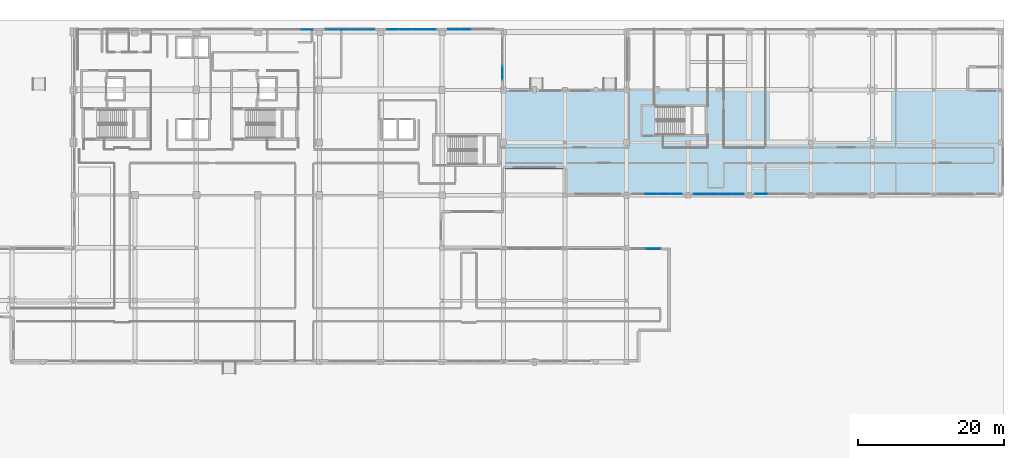
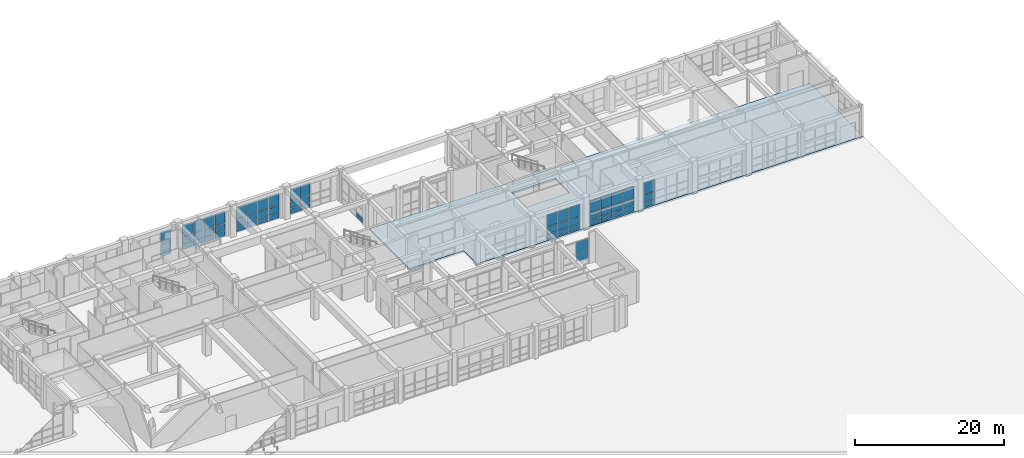
# One storey, part 120 of 148: 60 plates, 1 slab, 9 elements without a shape of their own.
"""IFC4 building model written with IfcOpenShell, lengths in metres."""

import ifcopenshell
import ifcopenshell.guid

model = None  # the IFC model being written
_history = None  # IfcOwnerHistory: only IFC2X3 demands one
_inside = {}  # id of a spatial element -> (the spatial element, [elements in it])
_under = {}  # id of a project, library or spatial element -> (it, [spatial elements below it])
_declared = {}  # id of a project -> (the project, [libraries it declares])
_typed = {}  # id of a type object -> (the type object, [elements of that type])
_made_of = {}  # id of a material, layer set ... -> (it, [elements and type objects made of it])


def new_model(schema):
    """Start an empty IFC model of exactly this schema.

    Asked for "IFC4X3", IfcOpenShell would pick the latest addendum, in which some entities
    have other attributes; the version numbers below select the first issue.
    IFC2X3 requires an IfcOwnerHistory on every rooted entity: one is made here for all.
    """
    global model, _history
    if schema == "IFC4X3":
        model = ifcopenshell.file(schema_version=(4, 3, 0, 0))
    else:
        model = ifcopenshell.file(schema=schema)
    _inside.clear()
    _under.clear()
    _declared.clear()
    _typed.clear()
    _made_of.clear()
    _history = None
    if model.schema == "IFC2X3":
        org = make("IfcOrganization", Name="unknown")
        user = make(
            "IfcPersonAndOrganization",
            ThePerson=make("IfcPerson", FamilyName="unknown"),
            TheOrganization=org,
        )
        app = make(
            "IfcApplication",
            ApplicationDeveloper=org,
            Version="unknown",
            ApplicationFullName="unknown",
            ApplicationIdentifier="unknown",
        )
        _history = make(
            "IfcOwnerHistory",
            OwningUser=user,
            OwningApplication=app,
            ChangeAction="ADDED",
            CreationDate=0,
        )
    return model


def make(cls, **values):
    """One entity of the class cls with the attributes given. An attribute that is None is left unset."""
    return model.create_entity(
        cls, **{name: value for name, value in values.items() if value is not None}
    )


def rooted(cls, **values):
    """An entity with a GlobalId (a new one), such as an element, a storey or a relation."""
    return make(cls, GlobalId=ifcopenshell.guid.new(), OwnerHistory=_history, **values)


def si_unit(unit_type, name, prefix=None):
    """IfcSIUnit, for example si_unit("LENGTHUNIT", "METRE", prefix="MILLI")."""
    return make("IfcSIUnit", UnitType=unit_type, Prefix=prefix, Name=name)


def assignment(units):
    """IfcUnitAssignment: the units of a project."""
    return None if units is None else make("IfcUnitAssignment", Units=units)


def point(xyz):
    """IfcCartesianPoint."""
    return None if xyz is None else make("IfcCartesianPoint", Coordinates=xyz)


def direction(xyz):
    """IfcDirection."""
    return None if xyz is None else make("IfcDirection", DirectionRatios=xyz)


def frame(location, z_axis=None, x_axis=None):
    """IfcAxis2Placement3D, a coordinate frame: its origin and axes. An axis left out is left unset."""
    return make(
        "IfcAxis2Placement3D",
        Location=point(location),
        Axis=direction(z_axis),
        RefDirection=direction(x_axis),
    )


def frame_2d(location, x_axis=None):
    """IfcAxis2Placement2D, a coordinate frame in the plane: its origin and x axis."""
    return make(
        "IfcAxis2Placement2D", Location=point(location), RefDirection=direction(x_axis)
    )


def origin():
    """The frame at (0, 0, 0) with its axes left unset."""
    return frame((0.0, 0.0, 0.0))


def origin_2d():
    """The frame at (0, 0) in the plane with its x axis left unset."""
    return frame_2d((0.0, 0.0))


def place(relative_to, where):
    """IfcLocalPlacement: puts the frame where relative to a parent placement (None: the world)."""
    return make(
        "IfcLocalPlacement", PlacementRelTo=relative_to, RelativePlacement=where
    )


def context(
    kind, dimensions, precision=None, world=None, true_north=None, identifier=None
):
    """IfcGeometricRepresentationContext, for example the 3D "Model" context."""
    return make(
        "IfcGeometricRepresentationContext",
        ContextIdentifier=identifier,
        ContextType=kind,
        CoordinateSpaceDimension=dimensions,
        Precision=precision,
        WorldCoordinateSystem=world,
        TrueNorth=true_north,
    )


def subcontext(parent, identifier, kind, view, scale=None):
    """IfcGeometricRepresentationSubContext, for example "Body" below "Model"."""
    return make(
        "IfcGeometricRepresentationSubContext",
        ContextIdentifier=identifier,
        ContextType=kind,
        ParentContext=parent,
        TargetScale=scale,
        TargetView=view,
    )


def project(units=None, contexts=None):
    """IfcProject with its units and contexts."""
    return rooted(
        "IfcProject",
        Name="project",
        RepresentationContexts=contexts,
        UnitsInContext=assignment(units),
    )


def spatial(cls, under=None, at=None, **own):
    """A site, building, storey or space (cls), placed at a placement, below another one or the project."""
    s = rooted(cls, ObjectPlacement=at, **own)
    if under is not None:
        _under.setdefault(under.id(), (under, []))[1].append(s)
    return s


def polyline(points):
    """IfcPolyline through the points."""
    return make("IfcPolyline", Points=[point(p) for p in points])


def profile(cls, at=None, kind="AREA", **sizes):
    """A parametric profile (cls). Its sizes go by their IFC names, for example OverallWidth=200.0."""
    return make(cls, ProfileType=kind, Position=at, **sizes)


def rectangle(**sizes):
    """IfcRectangleProfileDef."""
    return profile("IfcRectangleProfileDef", **sizes)


def outline(outer, holes=None, kind="AREA"):
    """IfcArbitraryClosedProfileDef: a profile drawn as a closed curve; with holes, ...WithVoids."""
    if holes is None:
        return make("IfcArbitraryClosedProfileDef", ProfileType=kind, OuterCurve=outer)
    return make(
        "IfcArbitraryProfileDefWithVoids",
        ProfileType=kind,
        OuterCurve=outer,
        InnerCurves=holes,
    )


def extrude(swept, where, along, depth):
    """IfcExtrudedAreaSolid: the profile swept, set in the frame where, extruded along a direction by depth."""
    return make(
        "IfcExtrudedAreaSolid",
        SweptArea=swept,
        Position=where,
        ExtrudedDirection=direction(along),
        Depth=depth,
    )


def shape(context_of_items, identifier, shape_type, items):
    """IfcShapeRepresentation: the items that make up one representation, for example the "Body"."""
    return make(
        "IfcShapeRepresentation",
        ContextOfItems=context_of_items,
        RepresentationIdentifier=identifier,
        RepresentationType=shape_type,
        Items=items,
    )


def material(Name=None, Category=None):
    """IfcMaterial."""
    return make("IfcMaterial", Name=Name, Category=Category)


def layer(
    of_material, thickness, ventilated=None, Name=None, Category=None, Priority=None
):
    """IfcMaterialLayer: one layer of a wall or slab, of a material (None: an air gap)."""
    return make(
        "IfcMaterialLayer",
        Material=of_material,
        LayerThickness=thickness,
        IsVentilated=ventilated,
        Name=Name,
        Category=Category,
        Priority=Priority,
    )


def layer_set(layers, Name=None):
    """IfcMaterialLayerSet."""
    return make("IfcMaterialLayerSet", MaterialLayers=layers, LayerSetName=Name)


def made_of(thing, what):
    """Note that an element or type object is made of a material, layer set ...; save() writes the relation."""
    if what is not None:
        _made_of.setdefault(what.id(), (what, []))[1].append(thing)
    return thing


def type_object(cls, material=None, **own):
    """A type object (cls), such as IfcWallType, which elements share."""
    return made_of(rooted(cls, **own), material)


def element(
    cls,
    number,
    at=None,
    inside=None,
    cuts=None,
    type_object=None,
    material=None,
    context=None,
    identifier="Body",
    shape_type=None,
    held_by="IfcProductDefinitionShape",
    body=None,
    shapes=None,
    **own,
):
    """One element of the class cls, such as IfcWall. Its Tag is "e" and its number.

    at: its placement. inside: the storey or other place that contains it. cuts: it is an
    opening in that element (IfcRelVoidsElement). A single representation is given by context,
    identifier, shape_type and body (its items); several are given by shapes. held_by: the class
    of the entity that holds the representations. save() writes the other relations.
    """
    e = rooted(cls, Tag="e%d" % number, ObjectPlacement=at, **own)
    if body is not None:
        shapes = [shape(context, identifier, shape_type, body)]
    if shapes is not None:
        e.Representation = make(held_by, Representations=shapes)
    if inside is not None:
        _inside.setdefault(inside.id(), (inside, []))[1].append(e)
    if cuts is not None:
        rooted(
            "IfcRelVoidsElement", RelatingBuildingElement=cuts, RelatedOpeningElement=e
        )
    if type_object is not None:
        _typed.setdefault(type_object.id(), (type_object, []))[1].append(e)
    return made_of(e, material)


def aggregate(whole, parts):
    """IfcRelAggregates: a whole, such as a stair, and the parts it consists of."""
    return rooted("IfcRelAggregates", RelatingObject=whole, RelatedObjects=parts)


def save(model, path):
    """Write the relations noted so far, then the file.

    IfcRelAggregates (storeys below a building ...), IfcRelContainedInSpatialStructure (elements
    in a storey), IfcRelDefinesByType, IfcRelAssociatesMaterial and IfcRelDeclares: one each for
    every whole, place, type object, material and project.
    """
    for whole, parts in _under.values():
        aggregate(whole, parts)
    for where, things in _inside.values():
        rooted(
            "IfcRelContainedInSpatialStructure",
            RelatedElements=things,
            RelatingStructure=where,
        )
    for kind, things in _typed.values():
        rooted("IfcRelDefinesByType", RelatedObjects=things, RelatingType=kind)
    for what, things in _made_of.values():
        rooted("IfcRelAssociatesMaterial", RelatedObjects=things, RelatingMaterial=what)
    for by, libraries in _declared.values():
        rooted("IfcRelDeclares", RelatingContext=by, RelatedDefinitions=libraries)
    model.write(path)


model = new_model("IFC4")

# Units and contexts
model_context = context("Model", 3, precision=1e-05, world=origin(), true_north=direction((0.0, 1.0)))
body_context = subcontext(model_context, "Body", "Model", "MODEL_VIEW")
ifc_project = project(units=[si_unit("LENGTHUNIT", "METRE"), si_unit("AREAUNIT", "SQUARE_METRE"), si_unit("VOLUMEUNIT", "CUBIC_METRE"), si_unit("PLANEANGLEUNIT", "RADIAN"), si_unit("MASSUNIT", "GRAM", prefix="KILO")], contexts=[model_context])

# Site, building, storey
site_placement = place(None, origin())
site = spatial("IfcSite", under=ifc_project, at=site_placement, CompositionType="ELEMENT")
building_placement = place(site_placement, origin())
building = spatial("IfcBuilding", under=site, at=building_placement, Name="Quendrovan Civic Courthouse", CompositionType="ELEMENT")
storey_placement = place(building_placement, origin())
storey = spatial("IfcBuildingStorey", under=building, at=storey_placement, Name="L01", CompositionType="ELEMENT", Elevation=0.0)

# Curtain wall, plates
ifc_material_1 = material(Name="Bronze anodised aluminium and low-E glass", Category="aluminium")
ifc_layer_1 = layer(ifc_material_1, 0.179931640625, Name="Bronze anodised aluminium and low-E glass")
ifc_layer_set_1 = layer_set([ifc_layer_1], Name="Bronze anodised aluminium and low-E glass")
curtain_wall_type_1 = type_object("IfcCurtainWallType", Name="CW-U68x42", PredefinedType="USERDEFINED", material=ifc_layer_set_1)
curtain_wall_1_placement = place(storey_placement, origin())
curtain_wall_1 = element("IfcCurtainWall", 1, at=curtain_wall_1_placement, inside=storey, type_object=curtain_wall_type_1, Name="L01 Unitised Hurricane Curtain Wall CW-028", ObjectType="UNITISED CURTAIN WALL", PredefinedType="USERDEFINED")
ifc_material_2 = material(Name="Laminated hurricane-impact low-E glass", Category="glass")
ifc_layer_2 = layer(ifc_material_2, 0.028076171875, Name="Laminated hurricane-impact low-E glass")
ifc_layer_set_2 = layer_set([ifc_layer_2], Name="Laminated hurricane-impact low-E glass")
plate_type_1 = type_object("IfcPlateType", Name="CW-PNL-1", PredefinedType="CURTAIN_PANEL", material=ifc_layer_set_2)
plate_1_placement = place(storey_placement, frame((65.513671875, 110.235107421875, 0.06982421875), z_axis=(0.0, 0.0, 1.0), x_axis=(1.0, 0.0, 0.0)))
plate_1 = element("IfcPlate", 2, at=plate_1_placement, type_object=plate_type_1, Name="CW-028 panel 4.1", PredefinedType="CURTAIN_PANEL", context=body_context, shape_type="SweptSolid", body=[
    extrude(rectangle(XDim=1.58251953125, YDim=0.028076171875, at=origin_2d()), origin(), (0.0, 0.0, 1.0), 0.844970703125),
])
plate_2_placement = place(storey_placement, frame((65.513671875, 110.235107421875, 0.985107421875), z_axis=(0.0, 0.0, 1.0), x_axis=(1.0, 0.0, 0.0)))
plate_2 = element("IfcPlate", 3, at=plate_2_placement, type_object=plate_type_1, Name="CW-028 panel 4.2", PredefinedType="CURTAIN_PANEL", context=body_context, shape_type="SweptSolid", body=[
    extrude(rectangle(XDim=1.58251953125, YDim=0.028076171875, at=origin_2d()), origin(), (0.0, 0.0, 1.0), 1.1298828125),
])
plate_3_placement = place(storey_placement, frame((65.513671875, 110.235107421875, 2.18505859375), z_axis=(0.0, 0.0, 1.0), x_axis=(1.0, 0.0, 0.0)))
plate_3 = element("IfcPlate", 4, at=plate_3_placement, type_object=plate_type_1, Name="CW-028 panel 4.3", PredefinedType="CURTAIN_PANEL", context=body_context, shape_type="SweptSolid", body=[
    extrude(rectangle(XDim=1.58251953125, YDim=0.028076171875, at=origin_2d()), origin(), (0.0, 0.0, 1.0), 1.945068359375),
])
aggregate(curtain_wall_1, [plate_1, plate_2, plate_3])

# Curtain wall, plate
ifc_layer_3 = layer(ifc_material_1, 0.179931640625, Name="Bronze anodised aluminium and low-E glass")
ifc_layer_set_3 = layer_set([ifc_layer_3], Name="Bronze anodised aluminium and low-E glass")
curtain_wall_type_2 = type_object("IfcCurtainWallType", Name="CW-U58x42", PredefinedType="USERDEFINED", material=ifc_layer_set_3)
curtain_wall_2_placement = place(storey_placement, origin())
curtain_wall_2 = element("IfcCurtainWall", 5, at=curtain_wall_2_placement, inside=storey, type_object=curtain_wall_type_2, Name="L01 Unitised Hurricane Curtain Wall CW-032", ObjectType="UNITISED CURTAIN WALL", PredefinedType="USERDEFINED")
plate_4_placement = place(storey_placement, frame((92.235107421875, 104.2841796875, 0.06982421875), z_axis=(0.0, 0.0, 1.0), x_axis=(0.0, -1.0, 0.0)))
plate_4 = element("IfcPlate", 6, at=plate_4_placement, type_object=plate_type_1, Name="CW-032 panel 3.1", PredefinedType="CURTAIN_PANEL", context=body_context, shape_type="SweptSolid", body=[
    extrude(rectangle(XDim=1.828369140625, YDim=0.028076171875, at=origin_2d()), origin(), (0.0, 0.0, 1.0), 0.844970703125),
])
aggregate(curtain_wall_2, [plate_4])

# Curtain wall, plates
ifc_layer_4 = layer(ifc_material_1, 0.179931640625, Name="Bronze anodised aluminium and low-E glass")
ifc_layer_set_4 = layer_set([ifc_layer_4], Name="Bronze anodised aluminium and low-E glass")
curtain_wall_type_3 = type_object("IfcCurtainWallType", Name="CW-U69x42", PredefinedType="USERDEFINED", material=ifc_layer_set_4)
curtain_wall_3_placement = place(storey_placement, origin())
curtain_wall_3 = element("IfcCurtainWall", 7, at=curtain_wall_3_placement, inside=storey, type_object=curtain_wall_type_3, Name="L01 Unitised Hurricane Curtain Wall CW-048", ObjectType="UNITISED CURTAIN WALL", PredefinedType="USERDEFINED")
plate_5_placement = place(storey_placement, frame((115.97314453125, 87.764892578125, 0.06982421875), z_axis=(0.0, 0.0, 1.0), x_axis=(-1.0, 0.0, 0.0)))
plate_5 = element("IfcPlate", 8, at=plate_5_placement, type_object=plate_type_1, Name="CW-048 panel 1.1", PredefinedType="CURTAIN_PANEL", context=body_context, shape_type="SweptSolid", body=[
    extrude(rectangle(XDim=1.61376953125, YDim=0.028076171875, at=origin_2d()), origin(), (0.0, 0.0, 1.0), 0.844970703125),
])
plate_6_placement = place(storey_placement, frame((115.97314453125, 87.764892578125, 0.985107421875), z_axis=(0.0, 0.0, 1.0), x_axis=(-1.0, 0.0, 0.0)))
plate_6 = element("IfcPlate", 9, at=plate_6_placement, type_object=plate_type_1, Name="CW-048 panel 1.2", PredefinedType="CURTAIN_PANEL", context=body_context, shape_type="SweptSolid", body=[
    extrude(rectangle(XDim=1.61376953125, YDim=0.028076171875, at=origin_2d()), origin(), (0.0, 0.0, 1.0), 1.1298828125),
])
plate_7_placement = place(storey_placement, frame((115.97314453125, 87.764892578125, 2.18505859375), z_axis=(0.0, 0.0, 1.0), x_axis=(-1.0, 0.0, 0.0)))
plate_7 = element("IfcPlate", 10, at=plate_7_placement, type_object=plate_type_1, Name="CW-048 panel 1.3", PredefinedType="CURTAIN_PANEL", context=body_context, shape_type="SweptSolid", body=[
    extrude(rectangle(XDim=1.61376953125, YDim=0.028076171875, at=origin_2d()), origin(), (0.0, 0.0, 1.0), 1.945068359375),
])
plate_8_placement = place(storey_placement, frame((114.27197265625, 87.764892578125, 0.06982421875), z_axis=(0.0, 0.0, 1.0), x_axis=(-1.0, 0.0, 0.0)))
plate_8 = element("IfcPlate", 11, at=plate_8_placement, type_object=plate_type_1, Name="CW-048 panel 2.1", PredefinedType="CURTAIN_PANEL", context=body_context, shape_type="SweptSolid", body=[
    extrude(rectangle(XDim=1.648681640625, YDim=0.028076171875, at=origin_2d()), origin(), (0.0, 0.0, 1.0), 0.844970703125),
])
plate_9_placement = place(storey_placement, frame((114.27197265625, 87.764892578125, 0.985107421875), z_axis=(0.0, 0.0, 1.0), x_axis=(-1.0, 0.0, 0.0)))
plate_9 = element("IfcPlate", 12, at=plate_9_placement, type_object=plate_type_1, Name="CW-048 panel 2.2", PredefinedType="CURTAIN_PANEL", context=body_context, shape_type="SweptSolid", body=[
    extrude(rectangle(XDim=1.648681640625, YDim=0.028076171875, at=origin_2d()), origin(), (0.0, 0.0, 1.0), 1.1298828125),
])
plate_10_placement = place(storey_placement, frame((114.27197265625, 87.764892578125, 2.18505859375), z_axis=(0.0, 0.0, 1.0), x_axis=(-1.0, 0.0, 0.0)))
plate_10 = element("IfcPlate", 13, at=plate_10_placement, type_object=plate_type_1, Name="CW-048 panel 2.3", PredefinedType="CURTAIN_PANEL", context=body_context, shape_type="SweptSolid", body=[
    extrude(rectangle(XDim=1.648681640625, YDim=0.028076171875, at=origin_2d()), origin(), (0.0, 0.0, 1.0), 1.945068359375),
])
plate_11_placement = place(storey_placement, frame((112.55322265625, 87.764892578125, 0.06982421875), z_axis=(0.0, 0.0, 1.0), x_axis=(-1.0, 0.0, 0.0)))
plate_11 = element("IfcPlate", 14, at=plate_11_placement, type_object=plate_type_1, Name="CW-048 panel 3.1", PredefinedType="CURTAIN_PANEL", context=body_context, shape_type="SweptSolid", body=[
    extrude(rectangle(XDim=1.648681640625, YDim=0.028076171875, at=origin_2d()), origin(), (0.0, 0.0, 1.0), 0.844970703125),
])
plate_12_placement = place(storey_placement, frame((112.55322265625, 87.764892578125, 0.985107421875), z_axis=(0.0, 0.0, 1.0), x_axis=(-1.0, 0.0, 0.0)))
plate_12 = element("IfcPlate", 15, at=plate_12_placement, type_object=plate_type_1, Name="CW-048 panel 3.2", PredefinedType="CURTAIN_PANEL", context=body_context, shape_type="SweptSolid", body=[
    extrude(rectangle(XDim=1.648681640625, YDim=0.028076171875, at=origin_2d()), origin(), (0.0, 0.0, 1.0), 1.1298828125),
])
plate_13_placement = place(storey_placement, frame((112.55322265625, 87.764892578125, 2.18505859375), z_axis=(0.0, 0.0, 1.0), x_axis=(-1.0, 0.0, 0.0)))
plate_13 = element("IfcPlate", 16, at=plate_13_placement, type_object=plate_type_1, Name="CW-048 panel 3.3", PredefinedType="CURTAIN_PANEL", context=body_context, shape_type="SweptSolid", body=[
    extrude(rectangle(XDim=1.648681640625, YDim=0.028076171875, at=origin_2d()), origin(), (0.0, 0.0, 1.0), 1.945068359375),
])
aggregate(curtain_wall_3, [plate_5, plate_6, plate_7, plate_8, plate_9, plate_10, plate_11, plate_12, plate_13])

curtain_wall_4_placement = place(storey_placement, origin())
curtain_wall_4 = element("IfcCurtainWall", 17, at=curtain_wall_4_placement, inside=storey, type_object=curtain_wall_type_1, Name="L01 Unitised Hurricane Curtain Wall CW-029", ObjectType="UNITISED CURTAIN WALL", PredefinedType="USERDEFINED")
ifc_layer_5 = layer(ifc_material_2, 0.031982421875, Name="Laminated hurricane-impact low-E glass")
ifc_layer_set_5 = layer_set([ifc_layer_5], Name="Laminated hurricane-impact low-E glass")
plate_type_2 = type_object("IfcPlateType", Name="CW-PNL-2", PredefinedType="CURTAIN_PANEL", material=ifc_layer_set_5)
plate_14_placement = place(storey_placement, frame((68.88818359375, 110.235107421875, 0.06494140625), z_axis=(0.0, 0.0, 1.0), x_axis=(1.0, 0.0, 0.0)))
plate_14 = element("IfcPlate", 18, at=plate_14_placement, type_object=plate_type_2, Name="CW-029 panel 1.1", PredefinedType="CURTAIN_PANEL", context=body_context, shape_type="SweptSolid", body=[
    extrude(rectangle(XDim=1.59619140625, YDim=0.031982421875, at=origin_2d()), origin(), (0.0, 0.0, 1.0), 0.8525390625),
])
plate_15_placement = place(storey_placement, frame((68.88818359375, 110.235107421875, 0.982421875), z_axis=(0.0, 0.0, 1.0), x_axis=(1.0, 0.0, 0.0)))
plate_15 = element("IfcPlate", 19, at=plate_15_placement, type_object=plate_type_2, Name="CW-029 panel 1.2", PredefinedType="CURTAIN_PANEL", context=body_context, shape_type="SweptSolid", body=[
    extrude(rectangle(XDim=1.59619140625, YDim=0.031982421875, at=origin_2d()), origin(), (0.0, 0.0, 1.0), 1.135009765625),
])
plate_16_placement = place(storey_placement, frame((68.88818359375, 110.235107421875, 2.1826171875), z_axis=(0.0, 0.0, 1.0), x_axis=(1.0, 0.0, 0.0)))
plate_16 = element("IfcPlate", 20, at=plate_16_placement, type_object=plate_type_2, Name="CW-029 panel 1.3", PredefinedType="CURTAIN_PANEL", context=body_context, shape_type="SweptSolid", body=[
    extrude(rectangle(XDim=1.59619140625, YDim=0.031982421875, at=origin_2d()), origin(), (0.0, 0.0, 1.0), 1.952392578125),
])
plate_17_placement = place(storey_placement, frame((70.565673828125, 110.235107421875, 0.06494140625), z_axis=(0.0, 0.0, 1.0), x_axis=(1.0, 0.0, 0.0)))
plate_17 = element("IfcPlate", 21, at=plate_17_placement, type_object=plate_type_2, Name="CW-029 panel 2.1", PredefinedType="CURTAIN_PANEL", context=body_context, shape_type="SweptSolid", body=[
    extrude(rectangle(XDim=1.628662109375, YDim=0.031982421875, at=origin_2d()), origin(), (0.0, 0.0, 1.0), 0.8525390625),
])
plate_18_placement = place(storey_placement, frame((70.565673828125, 110.235107421875, 0.982421875), z_axis=(0.0, 0.0, 1.0), x_axis=(1.0, 0.0, 0.0)))
plate_18 = element("IfcPlate", 22, at=plate_18_placement, type_object=plate_type_2, Name="CW-029 panel 2.2", PredefinedType="CURTAIN_PANEL", context=body_context, shape_type="SweptSolid", body=[
    extrude(rectangle(XDim=1.628662109375, YDim=0.031982421875, at=origin_2d()), origin(), (0.0, 0.0, 1.0), 1.135009765625),
])
plate_19_placement = place(storey_placement, frame((70.565673828125, 110.235107421875, 2.1826171875), z_axis=(0.0, 0.0, 1.0), x_axis=(1.0, 0.0, 0.0)))
plate_19 = element("IfcPlate", 23, at=plate_19_placement, type_object=plate_type_2, Name="CW-029 panel 2.3", PredefinedType="CURTAIN_PANEL", context=body_context, shape_type="SweptSolid", body=[
    extrude(rectangle(XDim=1.628662109375, YDim=0.031982421875, at=origin_2d()), origin(), (0.0, 0.0, 1.0), 1.952392578125),
])
plate_20_placement = place(storey_placement, frame((72.25927734375, 110.235107421875, 0.06494140625), z_axis=(0.0, 0.0, 1.0), x_axis=(1.0, 0.0, 0.0)))
plate_20 = element("IfcPlate", 24, at=plate_20_placement, type_object=plate_type_2, Name="CW-029 panel 3.1", PredefinedType="CURTAIN_PANEL", context=body_context, shape_type="SweptSolid", body=[
    extrude(rectangle(XDim=1.628662109375, YDim=0.031982421875, at=origin_2d()), origin(), (0.0, 0.0, 1.0), 0.8525390625),
])
plate_21_placement = place(storey_placement, frame((72.25927734375, 110.235107421875, 0.982421875), z_axis=(0.0, 0.0, 1.0), x_axis=(1.0, 0.0, 0.0)))
plate_21 = element("IfcPlate", 25, at=plate_21_placement, type_object=plate_type_2, Name="CW-029 panel 3.2", PredefinedType="CURTAIN_PANEL", context=body_context, shape_type="SweptSolid", body=[
    extrude(rectangle(XDim=1.628662109375, YDim=0.031982421875, at=origin_2d()), origin(), (0.0, 0.0, 1.0), 1.135009765625),
])
plate_22_placement = place(storey_placement, frame((72.25927734375, 110.235107421875, 2.1826171875), z_axis=(0.0, 0.0, 1.0), x_axis=(1.0, 0.0, 0.0)))
plate_22 = element("IfcPlate", 26, at=plate_22_placement, type_object=plate_type_2, Name="CW-029 panel 3.3", PredefinedType="CURTAIN_PANEL", context=body_context, shape_type="SweptSolid", body=[
    extrude(rectangle(XDim=1.628662109375, YDim=0.031982421875, at=origin_2d()), origin(), (0.0, 0.0, 1.0), 1.952392578125),
])
plate_23_placement = place(storey_placement, frame((73.936767578125, 110.235107421875, 0.06494140625), z_axis=(0.0, 0.0, 1.0), x_axis=(1.0, 0.0, 0.0)))
plate_23 = element("IfcPlate", 27, at=plate_23_placement, type_object=plate_type_2, Name="CW-029 panel 4.1", PredefinedType="CURTAIN_PANEL", context=body_context, shape_type="SweptSolid", body=[
    extrude(rectangle(XDim=1.59619140625, YDim=0.031982421875, at=origin_2d()), origin(), (0.0, 0.0, 1.0), 0.8525390625),
])
plate_24_placement = place(storey_placement, frame((73.936767578125, 110.235107421875, 0.982421875), z_axis=(0.0, 0.0, 1.0), x_axis=(1.0, 0.0, 0.0)))
plate_24 = element("IfcPlate", 28, at=plate_24_placement, type_object=plate_type_2, Name="CW-029 panel 4.2", PredefinedType="CURTAIN_PANEL", context=body_context, shape_type="SweptSolid", body=[
    extrude(rectangle(XDim=1.59619140625, YDim=0.031982421875, at=origin_2d()), origin(), (0.0, 0.0, 1.0), 1.135009765625),
])
plate_25_placement = place(storey_placement, frame((73.936767578125, 110.235107421875, 2.1826171875), z_axis=(0.0, 0.0, 1.0), x_axis=(1.0, 0.0, 0.0)))
plate_25 = element("IfcPlate", 29, at=plate_25_placement, type_object=plate_type_2, Name="CW-029 panel 4.3", PredefinedType="CURTAIN_PANEL", context=body_context, shape_type="SweptSolid", body=[
    extrude(rectangle(XDim=1.59619140625, YDim=0.031982421875, at=origin_2d()), origin(), (0.0, 0.0, 1.0), 1.952392578125),
])
aggregate(curtain_wall_4, [plate_14, plate_15, plate_16, plate_17, plate_18, plate_19, plate_20, plate_21, plate_22, plate_23, plate_24, plate_25])

curtain_wall_5_placement = place(storey_placement, origin())
curtain_wall_5 = element("IfcCurtainWall", 30, at=curtain_wall_5_placement, inside=storey, type_object=curtain_wall_type_1, Name="L01 Unitised Hurricane Curtain Wall CW-030", ObjectType="UNITISED CURTAIN WALL", PredefinedType="USERDEFINED")
ifc_layer_6 = layer(ifc_material_2, 0.035888671875, Name="Laminated hurricane-impact low-E glass")
ifc_layer_set_6 = layer_set([ifc_layer_6], Name="Laminated hurricane-impact low-E glass")
plate_type_3 = type_object("IfcPlateType", Name="CW-PNL-3", PredefinedType="CURTAIN_PANEL", material=ifc_layer_set_6)
plate_26_placement = place(storey_placement, frame((77.267578125, 110.235107421875, 0.06982421875), z_axis=(0.0, 0.0, 1.0), x_axis=(1.0, 0.0, 0.0)))
plate_26 = element("IfcPlate", 31, at=plate_26_placement, type_object=plate_type_3, Name="CW-030 panel 1.1", PredefinedType="CURTAIN_PANEL", context=body_context, shape_type="SweptSolid", body=[
    extrude(rectangle(XDim=1.594970703125, YDim=0.035888671875, at=origin_2d()), origin(), (0.0, 0.0, 1.0), 0.844970703125),
])
plate_27_placement = place(storey_placement, frame((77.267578125, 110.235107421875, 0.985107421875), z_axis=(0.0, 0.0, 1.0), x_axis=(1.0, 0.0, 0.0)))
plate_27 = element("IfcPlate", 32, at=plate_27_placement, type_object=plate_type_3, Name="CW-030 panel 1.2", PredefinedType="CURTAIN_PANEL", context=body_context, shape_type="SweptSolid", body=[
    extrude(rectangle(XDim=1.594970703125, YDim=0.035888671875, at=origin_2d()), origin(), (0.0, 0.0, 1.0), 1.1298828125),
])
plate_28_placement = place(storey_placement, frame((77.267578125, 110.235107421875, 2.18505859375), z_axis=(0.0, 0.0, 1.0), x_axis=(1.0, 0.0, 0.0)))
plate_28 = element("IfcPlate", 33, at=plate_28_placement, type_object=plate_type_3, Name="CW-030 panel 1.3", PredefinedType="CURTAIN_PANEL", context=body_context, shape_type="SweptSolid", body=[
    extrude(rectangle(XDim=1.594970703125, YDim=0.035888671875, at=origin_2d()), origin(), (0.0, 0.0, 1.0), 1.945068359375),
])
plate_29_placement = place(storey_placement, frame((78.949951171875, 110.235107421875, 0.06982421875), z_axis=(0.0, 0.0, 1.0), x_axis=(1.0, 0.0, 0.0)))
plate_29 = element("IfcPlate", 34, at=plate_29_placement, type_object=plate_type_3, Name="CW-030 panel 2.1", PredefinedType="CURTAIN_PANEL", context=body_context, shape_type="SweptSolid", body=[
    extrude(rectangle(XDim=1.6298828125, YDim=0.035888671875, at=origin_2d()), origin(), (0.0, 0.0, 1.0), 0.844970703125),
])
plate_30_placement = place(storey_placement, frame((78.949951171875, 110.235107421875, 0.985107421875), z_axis=(0.0, 0.0, 1.0), x_axis=(1.0, 0.0, 0.0)))
plate_30 = element("IfcPlate", 35, at=plate_30_placement, type_object=plate_type_3, Name="CW-030 panel 2.2", PredefinedType="CURTAIN_PANEL", context=body_context, shape_type="SweptSolid", body=[
    extrude(rectangle(XDim=1.6298828125, YDim=0.035888671875, at=origin_2d()), origin(), (0.0, 0.0, 1.0), 1.1298828125),
])
plate_31_placement = place(storey_placement, frame((78.949951171875, 110.235107421875, 2.18505859375), z_axis=(0.0, 0.0, 1.0), x_axis=(1.0, 0.0, 0.0)))
plate_31 = element("IfcPlate", 36, at=plate_31_placement, type_object=plate_type_3, Name="CW-030 panel 2.3", PredefinedType="CURTAIN_PANEL", context=body_context, shape_type="SweptSolid", body=[
    extrude(rectangle(XDim=1.6298828125, YDim=0.035888671875, at=origin_2d()), origin(), (0.0, 0.0, 1.0), 1.945068359375),
])
plate_32_placement = place(storey_placement, frame((80.64990234375, 110.235107421875, 0.06982421875), z_axis=(0.0, 0.0, 1.0), x_axis=(1.0, 0.0, 0.0)))
plate_32 = element("IfcPlate", 37, at=plate_32_placement, type_object=plate_type_3, Name="CW-030 panel 3.1", PredefinedType="CURTAIN_PANEL", context=body_context, shape_type="SweptSolid", body=[
    extrude(rectangle(XDim=1.6298828125, YDim=0.035888671875, at=origin_2d()), origin(), (0.0, 0.0, 1.0), 0.844970703125),
])
plate_33_placement = place(storey_placement, frame((80.64990234375, 110.235107421875, 0.985107421875), z_axis=(0.0, 0.0, 1.0), x_axis=(1.0, 0.0, 0.0)))
plate_33 = element("IfcPlate", 38, at=plate_33_placement, type_object=plate_type_3, Name="CW-030 panel 3.2", PredefinedType="CURTAIN_PANEL", context=body_context, shape_type="SweptSolid", body=[
    extrude(rectangle(XDim=1.6298828125, YDim=0.035888671875, at=origin_2d()), origin(), (0.0, 0.0, 1.0), 1.1298828125),
])
plate_34_placement = place(storey_placement, frame((80.64990234375, 110.235107421875, 2.18505859375), z_axis=(0.0, 0.0, 1.0), x_axis=(1.0, 0.0, 0.0)))
plate_34 = element("IfcPlate", 39, at=plate_34_placement, type_object=plate_type_3, Name="CW-030 panel 3.3", PredefinedType="CURTAIN_PANEL", context=body_context, shape_type="SweptSolid", body=[
    extrude(rectangle(XDim=1.6298828125, YDim=0.035888671875, at=origin_2d()), origin(), (0.0, 0.0, 1.0), 1.945068359375),
])
plate_35_placement = place(storey_placement, frame((82.33251953125, 110.235107421875, 0.06982421875), z_axis=(0.0, 0.0, 1.0), x_axis=(1.0, 0.0, 0.0)))
plate_35 = element("IfcPlate", 40, at=plate_35_placement, type_object=plate_type_3, Name="CW-030 panel 4.1", PredefinedType="CURTAIN_PANEL", context=body_context, shape_type="SweptSolid", body=[
    extrude(rectangle(XDim=1.594970703125, YDim=0.035888671875, at=origin_2d()), origin(), (0.0, 0.0, 1.0), 0.844970703125),
])
plate_36_placement = place(storey_placement, frame((82.33251953125, 110.235107421875, 0.985107421875), z_axis=(0.0, 0.0, 1.0), x_axis=(1.0, 0.0, 0.0)))
plate_36 = element("IfcPlate", 41, at=plate_36_placement, type_object=plate_type_3, Name="CW-030 panel 4.2", PredefinedType="CURTAIN_PANEL", context=body_context, shape_type="SweptSolid", body=[
    extrude(rectangle(XDim=1.594970703125, YDim=0.035888671875, at=origin_2d()), origin(), (0.0, 0.0, 1.0), 1.1298828125),
])
plate_37_placement = place(storey_placement, frame((82.33251953125, 110.235107421875, 2.18505859375), z_axis=(0.0, 0.0, 1.0), x_axis=(1.0, 0.0, 0.0)))
plate_37 = element("IfcPlate", 42, at=plate_37_placement, type_object=plate_type_3, Name="CW-030 panel 4.3", PredefinedType="CURTAIN_PANEL", context=body_context, shape_type="SweptSolid", body=[
    extrude(rectangle(XDim=1.594970703125, YDim=0.035888671875, at=origin_2d()), origin(), (0.0, 0.0, 1.0), 1.945068359375),
])
aggregate(curtain_wall_5, [plate_26, plate_27, plate_28, plate_29, plate_30, plate_31, plate_32, plate_33, plate_34, plate_35, plate_36, plate_37])

curtain_wall_6_placement = place(storey_placement, origin())
curtain_wall_6 = element("IfcCurtainWall", 43, at=curtain_wall_6_placement, inside=storey, type_object=curtain_wall_type_3, Name="L01 Unitised Hurricane Curtain Wall CW-046", ObjectType="UNITISED CURTAIN WALL", PredefinedType="USERDEFINED")
plate_38_placement = place(storey_placement, frame((127.608154296875, 87.764892578125, 0.06982421875), z_axis=(0.0, 0.0, 1.0), x_axis=(-1.0, 0.0, 0.0)))
plate_38 = element("IfcPlate", 44, at=plate_38_placement, type_object=plate_type_3, Name="CW-046 panel 4.1", PredefinedType="CURTAIN_PANEL", context=body_context, shape_type="SweptSolid", body=[
    extrude(rectangle(XDim=1.626220703125, YDim=0.035888671875, at=origin_2d()), origin(), (0.0, 0.0, 1.0), 0.844970703125),
])
plate_39_placement = place(storey_placement, frame((127.608154296875, 87.764892578125, 0.985107421875), z_axis=(0.0, 0.0, 1.0), x_axis=(-1.0, 0.0, 0.0)))
plate_39 = element("IfcPlate", 45, at=plate_39_placement, type_object=plate_type_3, Name="CW-046 panel 4.2", PredefinedType="CURTAIN_PANEL", context=body_context, shape_type="SweptSolid", body=[
    extrude(rectangle(XDim=1.626220703125, YDim=0.035888671875, at=origin_2d()), origin(), (0.0, 0.0, 1.0), 1.1298828125),
])
plate_40_placement = place(storey_placement, frame((127.608154296875, 87.764892578125, 2.18505859375), z_axis=(0.0, 0.0, 1.0), x_axis=(-1.0, 0.0, 0.0)))
plate_40 = element("IfcPlate", 46, at=plate_40_placement, type_object=plate_type_3, Name="CW-046 panel 4.3", PredefinedType="CURTAIN_PANEL", context=body_context, shape_type="SweptSolid", body=[
    extrude(rectangle(XDim=1.626220703125, YDim=0.035888671875, at=origin_2d()), origin(), (0.0, 0.0, 1.0), 1.945068359375),
])
aggregate(curtain_wall_6, [plate_38, plate_39, plate_40])

ifc_layer_7 = layer(ifc_material_1, 0.179931640625, Name="Bronze anodised aluminium and low-E glass")
ifc_layer_set_7 = layer_set([ifc_layer_7], Name="Bronze anodised aluminium and low-E glass")
curtain_wall_type_4 = type_object("IfcCurtainWallType", Name="CW-U63x42", PredefinedType="USERDEFINED", material=ifc_layer_set_7)
curtain_wall_7_placement = place(storey_placement, origin())
curtain_wall_7 = element("IfcCurtainWall", 47, at=curtain_wall_7_placement, inside=storey, type_object=curtain_wall_type_4, Name="L01 Unitised Hurricane Curtain Wall CW-031", ObjectType="UNITISED CURTAIN WALL", PredefinedType="USERDEFINED")
ifc_layer_8 = layer(ifc_material_2, 0.0419921875, Name="Laminated hurricane-impact low-E glass")
ifc_layer_set_8 = layer_set([ifc_layer_8], Name="Laminated hurricane-impact low-E glass")
plate_type_4 = type_object("IfcPlateType", Name="CW-PNL-4", PredefinedType="CURTAIN_PANEL", material=ifc_layer_set_8)
plate_41_placement = place(storey_placement, frame((85.603759765625, 110.235107421875, 0.06494140625), z_axis=(0.0, 0.0, 1.0), x_axis=(1.0, 0.0, 0.0)))
plate_41 = element("IfcPlate", 48, at=plate_41_placement, type_object=plate_type_4, Name="CW-031 panel 1.1", PredefinedType="CURTAIN_PANEL", context=body_context, shape_type="SweptSolid", body=[
    extrude(rectangle(XDim=1.4775390625, YDim=0.0419921875, at=origin_2d()), origin(), (0.0, 0.0, 1.0), 0.8525390625),
])
plate_42_placement = place(storey_placement, frame((85.603759765625, 110.235107421875, 0.982421875), z_axis=(0.0, 0.0, 1.0), x_axis=(1.0, 0.0, 0.0)))
plate_42 = element("IfcPlate", 49, at=plate_42_placement, type_object=plate_type_4, Name="CW-031 panel 1.2", PredefinedType="CURTAIN_PANEL", context=body_context, shape_type="SweptSolid", body=[
    extrude(rectangle(XDim=1.4775390625, YDim=0.0419921875, at=origin_2d()), origin(), (0.0, 0.0, 1.0), 1.135009765625),
])
plate_43_placement = place(storey_placement, frame((85.603759765625, 110.235107421875, 2.1826171875), z_axis=(0.0, 0.0, 1.0), x_axis=(1.0, 0.0, 0.0)))
plate_43 = element("IfcPlate", 50, at=plate_43_placement, type_object=plate_type_4, Name="CW-031 panel 1.3", PredefinedType="CURTAIN_PANEL", context=body_context, shape_type="SweptSolid", body=[
    extrude(rectangle(XDim=1.4775390625, YDim=0.0419921875, at=origin_2d()), origin(), (0.0, 0.0, 1.0), 1.952392578125),
])
plate_44_placement = place(storey_placement, frame((87.16259765625, 110.235107421875, 0.06494140625), z_axis=(0.0, 0.0, 1.0), x_axis=(1.0, 0.0, 0.0)))
plate_44 = element("IfcPlate", 51, at=plate_44_placement, type_object=plate_type_4, Name="CW-031 panel 2.1", PredefinedType="CURTAIN_PANEL", context=body_context, shape_type="SweptSolid", body=[
    extrude(rectangle(XDim=1.510009765625, YDim=0.0419921875, at=origin_2d()), origin(), (0.0, 0.0, 1.0), 0.8525390625),
])
plate_45_placement = place(storey_placement, frame((87.16259765625, 110.235107421875, 0.982421875), z_axis=(0.0, 0.0, 1.0), x_axis=(1.0, 0.0, 0.0)))
plate_45 = element("IfcPlate", 52, at=plate_45_placement, type_object=plate_type_4, Name="CW-031 panel 2.2", PredefinedType="CURTAIN_PANEL", context=body_context, shape_type="SweptSolid", body=[
    extrude(rectangle(XDim=1.510009765625, YDim=0.0419921875, at=origin_2d()), origin(), (0.0, 0.0, 1.0), 1.135009765625),
])
plate_46_placement = place(storey_placement, frame((87.16259765625, 110.235107421875, 2.1826171875), z_axis=(0.0, 0.0, 1.0), x_axis=(1.0, 0.0, 0.0)))
plate_46 = element("IfcPlate", 53, at=plate_46_placement, type_object=plate_type_4, Name="CW-031 panel 2.3", PredefinedType="CURTAIN_PANEL", context=body_context, shape_type="SweptSolid", body=[
    extrude(rectangle(XDim=1.510009765625, YDim=0.0419921875, at=origin_2d()), origin(), (0.0, 0.0, 1.0), 1.952392578125),
])
aggregate(curtain_wall_7, [plate_41, plate_42, plate_43, plate_44, plate_45, plate_46])

curtain_wall_8_placement = place(storey_placement, origin())
curtain_wall_8 = element("IfcCurtainWall", 54, at=curtain_wall_8_placement, inside=storey, type_object=curtain_wall_type_3, Name="L01 Unitised Hurricane Curtain Wall CW-047", ObjectType="UNITISED CURTAIN WALL", PredefinedType="USERDEFINED")
plate_47_placement = place(storey_placement, frame((124.39306640625, 87.764892578125, 0.06494140625), z_axis=(0.0, 0.0, 1.0), x_axis=(-1.0, 0.0, 0.0)))
plate_47 = element("IfcPlate", 55, at=plate_47_placement, type_object=plate_type_4, Name="CW-047 panel 1.1", PredefinedType="CURTAIN_PANEL", context=body_context, shape_type="SweptSolid", body=[
    extrude(rectangle(XDim=1.6337890625, YDim=0.0419921875, at=origin_2d()), origin(), (0.0, 0.0, 1.0), 0.8525390625),
])
plate_48_placement = place(storey_placement, frame((124.39306640625, 87.764892578125, 0.982421875), z_axis=(0.0, 0.0, 1.0), x_axis=(-1.0, 0.0, 0.0)))
plate_48 = element("IfcPlate", 56, at=plate_48_placement, type_object=plate_type_4, Name="CW-047 panel 1.2", PredefinedType="CURTAIN_PANEL", context=body_context, shape_type="SweptSolid", body=[
    extrude(rectangle(XDim=1.6337890625, YDim=0.0419921875, at=origin_2d()), origin(), (0.0, 0.0, 1.0), 1.135009765625),
])
plate_49_placement = place(storey_placement, frame((124.39306640625, 87.764892578125, 2.1826171875), z_axis=(0.0, 0.0, 1.0), x_axis=(-1.0, 0.0, 0.0)))
plate_49 = element("IfcPlate", 57, at=plate_49_placement, type_object=plate_type_4, Name="CW-047 panel 1.3", PredefinedType="CURTAIN_PANEL", context=body_context, shape_type="SweptSolid", body=[
    extrude(rectangle(XDim=1.6337890625, YDim=0.0419921875, at=origin_2d()), origin(), (0.0, 0.0, 1.0), 1.952392578125),
])
plate_50_placement = place(storey_placement, frame((122.67822265625, 87.764892578125, 0.06494140625), z_axis=(0.0, 0.0, 1.0), x_axis=(-1.0, 0.0, 0.0)))
plate_50 = element("IfcPlate", 58, at=plate_50_placement, type_object=plate_type_4, Name="CW-047 panel 2.1", PredefinedType="CURTAIN_PANEL", context=body_context, shape_type="SweptSolid", body=[
    extrude(rectangle(XDim=1.666259765625, YDim=0.0419921875, at=origin_2d()), origin(), (0.0, 0.0, 1.0), 0.8525390625),
])
plate_51_placement = place(storey_placement, frame((122.67822265625, 87.764892578125, 0.982421875), z_axis=(0.0, 0.0, 1.0), x_axis=(-1.0, 0.0, 0.0)))
plate_51 = element("IfcPlate", 59, at=plate_51_placement, type_object=plate_type_4, Name="CW-047 panel 2.2", PredefinedType="CURTAIN_PANEL", context=body_context, shape_type="SweptSolid", body=[
    extrude(rectangle(XDim=1.666259765625, YDim=0.0419921875, at=origin_2d()), origin(), (0.0, 0.0, 1.0), 1.135009765625),
])
plate_52_placement = place(storey_placement, frame((122.67822265625, 87.764892578125, 2.1826171875), z_axis=(0.0, 0.0, 1.0), x_axis=(-1.0, 0.0, 0.0)))
plate_52 = element("IfcPlate", 60, at=plate_52_placement, type_object=plate_type_4, Name="CW-047 panel 2.3", PredefinedType="CURTAIN_PANEL", context=body_context, shape_type="SweptSolid", body=[
    extrude(rectangle(XDim=1.666259765625, YDim=0.0419921875, at=origin_2d()), origin(), (0.0, 0.0, 1.0), 1.952392578125),
])
plate_53_placement = place(storey_placement, frame((120.94677734375, 87.764892578125, 0.06494140625), z_axis=(0.0, 0.0, 1.0), x_axis=(-1.0, 0.0, 0.0)))
plate_53 = element("IfcPlate", 61, at=plate_53_placement, type_object=plate_type_4, Name="CW-047 panel 3.1", PredefinedType="CURTAIN_PANEL", context=body_context, shape_type="SweptSolid", body=[
    extrude(rectangle(XDim=1.666259765625, YDim=0.0419921875, at=origin_2d()), origin(), (0.0, 0.0, 1.0), 0.8525390625),
])
plate_54_placement = place(storey_placement, frame((120.94677734375, 87.764892578125, 0.982421875), z_axis=(0.0, 0.0, 1.0), x_axis=(-1.0, 0.0, 0.0)))
plate_54 = element("IfcPlate", 62, at=plate_54_placement, type_object=plate_type_4, Name="CW-047 panel 3.2", PredefinedType="CURTAIN_PANEL", context=body_context, shape_type="SweptSolid", body=[
    extrude(rectangle(XDim=1.666259765625, YDim=0.0419921875, at=origin_2d()), origin(), (0.0, 0.0, 1.0), 1.135009765625),
])
plate_55_placement = place(storey_placement, frame((120.94677734375, 87.764892578125, 2.1826171875), z_axis=(0.0, 0.0, 1.0), x_axis=(-1.0, 0.0, 0.0)))
plate_55 = element("IfcPlate", 63, at=plate_55_placement, type_object=plate_type_4, Name="CW-047 panel 3.3", PredefinedType="CURTAIN_PANEL", context=body_context, shape_type="SweptSolid", body=[
    extrude(rectangle(XDim=1.666259765625, YDim=0.0419921875, at=origin_2d()), origin(), (0.0, 0.0, 1.0), 1.952392578125),
])
plate_56_placement = place(storey_placement, frame((119.23193359375, 87.764892578125, 0.06494140625), z_axis=(0.0, 0.0, 1.0), x_axis=(-1.0, 0.0, 0.0)))
plate_56 = element("IfcPlate", 64, at=plate_56_placement, type_object=plate_type_4, Name="CW-047 panel 4.1", PredefinedType="CURTAIN_PANEL", context=body_context, shape_type="SweptSolid", body=[
    extrude(rectangle(XDim=1.6337890625, YDim=0.0419921875, at=origin_2d()), origin(), (0.0, 0.0, 1.0), 0.8525390625),
])
plate_57_placement = place(storey_placement, frame((119.23193359375, 87.764892578125, 0.982421875), z_axis=(0.0, 0.0, 1.0), x_axis=(-1.0, 0.0, 0.0)))
plate_57 = element("IfcPlate", 65, at=plate_57_placement, type_object=plate_type_4, Name="CW-047 panel 4.2", PredefinedType="CURTAIN_PANEL", context=body_context, shape_type="SweptSolid", body=[
    extrude(rectangle(XDim=1.6337890625, YDim=0.0419921875, at=origin_2d()), origin(), (0.0, 0.0, 1.0), 1.135009765625),
])
plate_58_placement = place(storey_placement, frame((119.23193359375, 87.764892578125, 2.1826171875), z_axis=(0.0, 0.0, 1.0), x_axis=(-1.0, 0.0, 0.0)))
plate_58 = element("IfcPlate", 66, at=plate_58_placement, type_object=plate_type_4, Name="CW-047 panel 4.3", PredefinedType="CURTAIN_PANEL", context=body_context, shape_type="SweptSolid", body=[
    extrude(rectangle(XDim=1.6337890625, YDim=0.0419921875, at=origin_2d()), origin(), (0.0, 0.0, 1.0), 1.952392578125),
])
aggregate(curtain_wall_8, [plate_47, plate_48, plate_49, plate_50, plate_51, plate_52, plate_53, plate_54, plate_55, plate_56, plate_57, plate_58])

ifc_layer_9 = layer(ifc_material_1, 0.179931640625, Name="Bronze anodised aluminium and low-E glass")
ifc_layer_set_9 = layer_set([ifc_layer_9], Name="Bronze anodised aluminium and low-E glass")
curtain_wall_type_5 = type_object("IfcCurtainWallType", Name="CW-U40x42", PredefinedType="USERDEFINED", material=ifc_layer_set_9)
curtain_wall_9_placement = place(storey_placement, origin())
curtain_wall_9 = element("IfcCurtainWall", 67, at=curtain_wall_9_placement, inside=storey, type_object=curtain_wall_type_5, Name="L01 Unitised Hurricane Curtain Wall CW-055", ObjectType="UNITISED CURTAIN WALL", PredefinedType="USERDEFINED")
plate_59_placement = place(storey_placement, frame((112.87744140625, 80.235107421875, 0.982421875), z_axis=(0.0, 0.0, 1.0), x_axis=(1.0, 0.0, 0.0)))
plate_59 = element("IfcPlate", 68, at=plate_59_placement, type_object=plate_type_4, Name="CW-055 panel 2.2", PredefinedType="CURTAIN_PANEL", context=body_context, shape_type="SweptSolid", body=[
    extrude(rectangle(XDim=1.9150390625, YDim=0.0419921875, at=origin_2d()), origin(), (0.0, 0.0, 1.0), 1.135009765625),
])
plate_60_placement = place(storey_placement, frame((112.87744140625, 80.235107421875, 2.1826171875), z_axis=(0.0, 0.0, 1.0), x_axis=(1.0, 0.0, 0.0)))
plate_60 = element("IfcPlate", 69, at=plate_60_placement, type_object=plate_type_4, Name="CW-055 panel 2.3", PredefinedType="CURTAIN_PANEL", context=body_context, shape_type="SweptSolid", body=[
    extrude(rectangle(XDim=1.9150390625, YDim=0.0419921875, at=origin_2d()), origin(), (0.0, 0.0, 1.0), 1.952392578125),
])
aggregate(curtain_wall_9, [plate_59, plate_60])

# Slab
ifc_material_3 = material(Name="Post-tensioned concrete C50/60", Category="concrete")
ifc_layer_10 = layer(ifc_material_3, 0.280029296875, Name="Post-tensioned concrete C50/60")
ifc_layer_set_10 = layer_set([ifc_layer_10], Name="Post-tensioned concrete C50/60")
slab_type = type_object("IfcSlabType", Name="SLB-PT-280", PredefinedType="FLOOR", material=ifc_layer_set_10)
slab_placement = place(storey_placement, frame((0.0, 0.0, -0.280029296875)))
element("IfcSlab", 70, at=slab_placement, inside=storey, type_object=slab_type, Name="L01 Structural Floor Slab V1E", PredefinedType="FLOOR", context=body_context, shape_type="SweptSolid", body=[
    extrude(outline(polyline([(160.800048828125, 102.0), (160.800048828125, 87.60009765625), (100.800048828125, 87.60009765625), (100.800048828125, 91.199951171875), (92.39990234375, 91.199951171875), (92.39990234375, 102.0), (160.800048828125, 102.0)]), holes=[polyline([(120.0, 95.85009765625), (120.0, 99.72998046875), (113.25, 99.72998046875), (113.25, 95.85009765625), (120.0, 95.85009765625)])]), origin(), (0.0, 0.0, 1.0), 0.280029296875),
])

save(model, "model.ifc")
